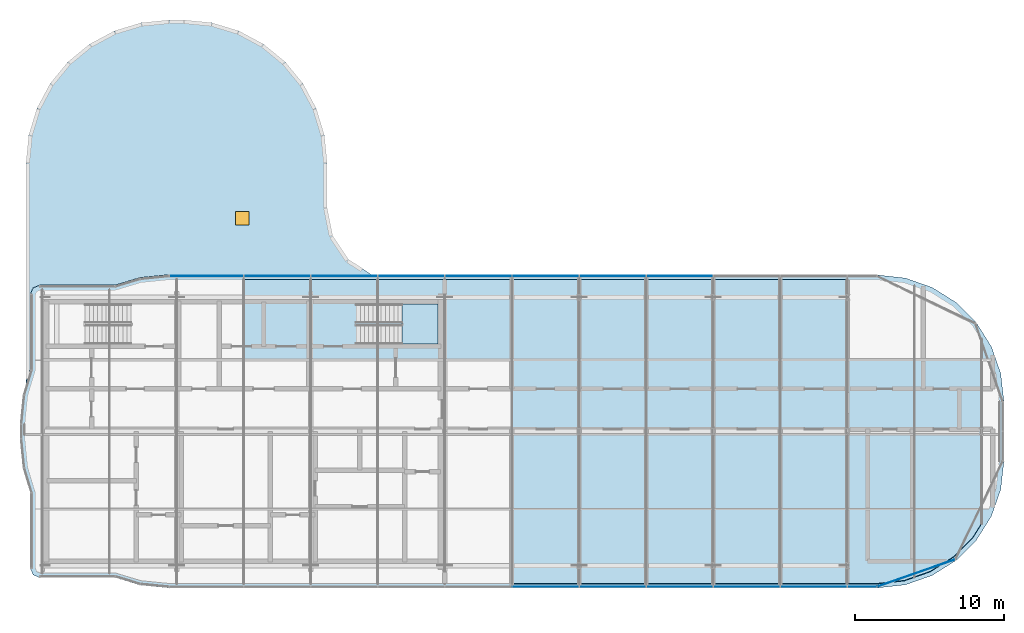
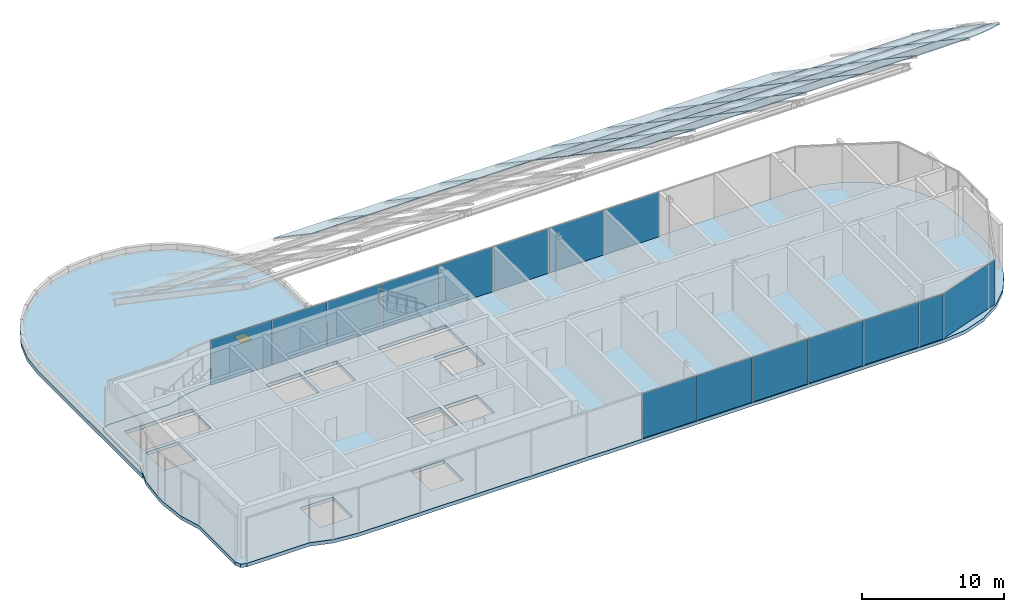
# One storey, part 19 of 25: 45 plates, 3 slabs, 1 window, 1 opening, 10 elements without a shape of their own.
"""IFC4 building model written with IfcOpenShell, lengths in metres."""

from ifc_helpers import new_model, si_unit, direction, frame, origin, origin_2d, place, context, subcontext, project, spatial, polyline, rectangle, outline, extrude, material, layer, layer_set, type_object, element, fill, aggregate, save


model = new_model("IFC4")

# Units and contexts
model_context = context("Model", 3, precision=1e-05, world=origin(), true_north=direction((0.0, 1.0)))
body_context = subcontext(model_context, "Body", "Model", "MODEL_VIEW")
ifc_project = project(units=[si_unit("LENGTHUNIT", "METRE"), si_unit("AREAUNIT", "SQUARE_METRE"), si_unit("VOLUMEUNIT", "CUBIC_METRE"), si_unit("PLANEANGLEUNIT", "RADIAN"), si_unit("MASSUNIT", "GRAM", prefix="KILO")], contexts=[model_context])

# Site, building, storey
site_placement = place(None, origin())
site = spatial("IfcSite", under=ifc_project, at=site_placement, CompositionType="ELEMENT")
building_placement = place(site_placement, origin())
building = spatial("IfcBuilding", under=site, at=building_placement, Name="Ogive Portal Towers", CompositionType="ELEMENT")
storey_placement = place(building_placement, frame((0.0, 0.0, 272.89990234375)))
storey = spatial("IfcBuildingStorey", under=building, at=storey_placement, Name="L66", CompositionType="ELEMENT", Elevation=272.89990234375)

# Curtain wall, plates
ifc_material_1 = material(Name="Glass, clear low-iron insulated glazing", Category="glass")
curtain_wall_type = type_object("IfcCurtainWallType", Name="CW CROWN GLAZING", PredefinedType="NOTDEFINED", material=ifc_material_1)
curtain_wall_1_placement = place(storey_placement, origin())
curtain_wall_1 = element("IfcCurtainWall", 1, at=curtain_wall_1_placement, inside=storey, type_object=curtain_wall_type, Name="A:L66:c06:cw", PredefinedType="NOTDEFINED")
ifc_layer_1 = layer(ifc_material_1, 0.028076171875)
ifc_layer_set_1 = layer_set([ifc_layer_1], Name="CW PANEL IGU 28")
plate_type_1 = type_object("IfcPlateType", Name="CW PANEL IGU 28", PredefinedType="CURTAIN_PANEL", material=ifc_layer_set_1)
plate_1_placement = place(storey_placement, frame((65.25, 20.080078125, 0.0), z_axis=(0.0, 0.0, 1.0), x_axis=(1.0, 0.0, 0.0)))
plate_1 = element("IfcPlate", 2, at=plate_1_placement, type_object=plate_type_1, Name="panel", PredefinedType="CURTAIN_PANEL", context=body_context, shape_type="SweptSolid", body=[
    extrude(rectangle(XDim=4.43994140625, YDim=0.028076171875, at=origin_2d()), origin(), (0.0, 0.0, 1.0), 3.840087890625),
])
plate_2_placement = place(storey_placement, frame((69.75, 20.080078125, 0.0), z_axis=(0.0, 0.0, 1.0), x_axis=(1.0, 0.0, 0.0)))
plate_2 = element("IfcPlate", 3, at=plate_2_placement, type_object=plate_type_1, Name="panel", PredefinedType="CURTAIN_PANEL", context=body_context, shape_type="SweptSolid", body=[
    extrude(rectangle(XDim=4.43994140625, YDim=0.028076171875, at=origin_2d()), origin(), (0.0, 0.0, 1.0), 3.840087890625),
])
plate_3_placement = place(storey_placement, frame((74.25, 20.080078125, 0.0), z_axis=(0.0, 0.0, 1.0), x_axis=(1.0, 0.0, 0.0)))
plate_3 = element("IfcPlate", 4, at=plate_3_placement, type_object=plate_type_1, Name="panel", PredefinedType="CURTAIN_PANEL", context=body_context, shape_type="SweptSolid", body=[
    extrude(rectangle(XDim=4.43994140625, YDim=0.028076171875, at=origin_2d()), origin(), (0.0, 0.0, 1.0), 3.840087890625),
])
plate_4_placement = place(storey_placement, frame((78.75, 20.080078125, 0.0), z_axis=(0.0, 0.0, 1.0), x_axis=(1.0, 0.0, 0.0)))
plate_4 = element("IfcPlate", 5, at=plate_4_placement, type_object=plate_type_1, Name="panel", PredefinedType="CURTAIN_PANEL", context=body_context, shape_type="SweptSolid", body=[
    extrude(rectangle(XDim=4.43994140625, YDim=0.028076171875, at=origin_2d()), origin(), (0.0, 0.0, 1.0), 3.840087890625),
])
plate_5_placement = place(storey_placement, frame((83.25, 20.080078125, 0.0), z_axis=(0.0, 0.0, 1.0), x_axis=(1.0, 0.0, 0.0)))
plate_5 = element("IfcPlate", 6, at=plate_5_placement, type_object=plate_type_1, Name="panel", PredefinedType="CURTAIN_PANEL", context=body_context, shape_type="SweptSolid", body=[
    extrude(rectangle(XDim=4.43994140625, YDim=0.028076171875, at=origin_2d()), origin(), (0.0, 0.0, 1.0), 3.840087890625),
])
plate_6_placement = place(storey_placement, frame((86.4931640625, 20.080078125, 0.0), z_axis=(0.0, 0.0, 1.0), x_axis=(1.0, 0.0, 0.0)))
plate_6 = element("IfcPlate", 7, at=plate_6_placement, type_object=plate_type_1, Name="panel", PredefinedType="CURTAIN_PANEL", context=body_context, shape_type="SweptSolid", body=[
    extrude(rectangle(XDim=1.926513671875, YDim=0.028076171875, at=origin_2d()), origin(), (0.0, 0.0, 1.0), 3.840087890625),
])
aggregate(curtain_wall_1, [plate_1, plate_2, plate_3, plate_4, plate_5, plate_6])

# Curtain wall, plate
curtain_wall_2_placement = place(storey_placement, origin())
curtain_wall_2 = element("IfcCurtainWall", 8, at=curtain_wall_2_placement, inside=storey, type_object=curtain_wall_type, Name="A:L66:c07:cw", PredefinedType="NOTDEFINED")
plate_7_placement = place(storey_placement, frame((90.1142578125, 20.99951171875, 0.0), z_axis=(0.0, 0.0, 1.0), x_axis=(0.943883330307, 0.33027906196, 0.0)))
plate_7 = element("IfcPlate", 9, at=plate_7_placement, type_object=plate_type_1, Name="panel", PredefinedType="CURTAIN_PANEL", context=body_context, shape_type="SweptSolid", body=[
    extrude(rectangle(XDim=5.508056640625, YDim=0.028076171875, at=origin_2d()), origin(), (0.0, 0.0, 1.0), 3.840087890625),
])
aggregate(curtain_wall_2, [plate_7])

# Curtain wall, plates
curtain_wall_3_placement = place(storey_placement, origin())
curtain_wall_3 = element("IfcCurtainWall", 10, at=curtain_wall_3_placement, inside=storey, type_object=curtain_wall_type, Name="A:L66:c12:cw", PredefinedType="NOTDEFINED")
plate_8_placement = place(storey_placement, frame((74.25, 40.919921875, 0.0), z_axis=(0.0, 0.0, 1.0), x_axis=(-1.0, 0.0, 0.0)))
plate_8 = element("IfcPlate", 11, at=plate_8_placement, type_object=plate_type_1, Name="panel", PredefinedType="CURTAIN_PANEL", context=body_context, shape_type="SweptSolid", body=[
    extrude(rectangle(XDim=4.43994140625, YDim=0.028076171875, at=origin_2d()), origin(), (0.0, 0.0, 1.0), 3.840087890625),
])
plate_9_placement = place(storey_placement, frame((69.75, 40.919921875, 0.0), z_axis=(0.0, 0.0, 1.0), x_axis=(-1.0, 0.0, 0.0)))
plate_9 = element("IfcPlate", 12, at=plate_9_placement, type_object=plate_type_1, Name="panel", PredefinedType="CURTAIN_PANEL", context=body_context, shape_type="SweptSolid", body=[
    extrude(rectangle(XDim=4.43994140625, YDim=0.028076171875, at=origin_2d()), origin(), (0.0, 0.0, 1.0), 3.840087890625),
])
plate_10_placement = place(storey_placement, frame((65.25, 40.919921875, 0.0), z_axis=(0.0, 0.0, 1.0), x_axis=(-1.0, 0.0, 0.0)))
plate_10 = element("IfcPlate", 13, at=plate_10_placement, type_object=plate_type_1, Name="panel", PredefinedType="CURTAIN_PANEL", context=body_context, shape_type="SweptSolid", body=[
    extrude(rectangle(XDim=4.43994140625, YDim=0.028076171875, at=origin_2d()), origin(), (0.0, 0.0, 1.0), 3.840087890625),
])
plate_11_placement = place(storey_placement, frame((60.75, 40.919921875, 0.0), z_axis=(0.0, 0.0, 1.0), x_axis=(-1.0, 0.0, 0.0)))
plate_11 = element("IfcPlate", 14, at=plate_11_placement, type_object=plate_type_1, Name="panel", PredefinedType="CURTAIN_PANEL", context=body_context, shape_type="SweptSolid", body=[
    extrude(rectangle(XDim=4.43994140625, YDim=0.028076171875, at=origin_2d()), origin(), (0.0, 0.0, 1.0), 3.840087890625),
])
plate_12_placement = place(storey_placement, frame((56.25, 40.919921875, 0.0), z_axis=(0.0, 0.0, 1.0), x_axis=(-1.0, 0.0, 0.0)))
plate_12 = element("IfcPlate", 15, at=plate_12_placement, type_object=plate_type_1, Name="panel", PredefinedType="CURTAIN_PANEL", context=body_context, shape_type="SweptSolid", body=[
    extrude(rectangle(XDim=4.43994140625, YDim=0.028076171875, at=origin_2d()), origin(), (0.0, 0.0, 1.0), 3.840087890625),
])
plate_13_placement = place(storey_placement, frame((51.75, 40.919921875, 0.0), z_axis=(0.0, 0.0, 1.0), x_axis=(-1.0, 0.0, 0.0)))
plate_13 = element("IfcPlate", 16, at=plate_13_placement, type_object=plate_type_1, Name="panel", PredefinedType="CURTAIN_PANEL", context=body_context, shape_type="SweptSolid", body=[
    extrude(rectangle(XDim=4.43994140625, YDim=0.028076171875, at=origin_2d()), origin(), (0.0, 0.0, 1.0), 3.840087890625),
])
plate_14_placement = place(storey_placement, frame((47.25, 40.919921875, 0.0), z_axis=(0.0, 0.0, 1.0), x_axis=(-1.0, 0.0, 0.0)))
plate_14 = element("IfcPlate", 17, at=plate_14_placement, type_object=plate_type_1, Name="panel", PredefinedType="CURTAIN_PANEL", context=body_context, shape_type="SweptSolid", body=[
    extrude(rectangle(XDim=4.43994140625, YDim=0.028076171875, at=origin_2d()), origin(), (0.0, 0.0, 1.0), 3.840087890625),
])
plate_15_placement = place(storey_placement, frame((42.501953125, 40.919921875, 0.0), z_axis=(0.0, 0.0, 1.0), x_axis=(-1.0, 0.0, 0.0)))
plate_15 = element("IfcPlate", 18, at=plate_15_placement, type_object=plate_type_1, Name="panel", PredefinedType="CURTAIN_PANEL", context=body_context, shape_type="SweptSolid", body=[
    extrude(rectangle(XDim=4.93603515625, YDim=0.028076171875, at=origin_2d()), origin(), (0.0, 0.0, 1.0), 3.840087890625),
])
aggregate(curtain_wall_3, [plate_8, plate_9, plate_10, plate_11, plate_12, plate_13, plate_14, plate_15])

curtain_wall_4_placement = place(storey_placement, origin())
curtain_wall_4 = element("IfcCurtainWall", 19, at=curtain_wall_4_placement, inside=storey, type_object=curtain_wall_type, Name="Crown roof glazing 2", PredefinedType="NOTDEFINED")
ifc_layer_2 = layer(ifc_material_1, 0.055908203125)
ifc_layer_set_2 = layer_set([ifc_layer_2], Name="CW ROOF PANEL IGU 56")
plate_type_2 = type_object("IfcPlateType", Name="CW ROOF PANEL IGU 56", PredefinedType="CURTAIN_PANEL", material=ifc_layer_set_2)
plate_16_placement = place(storey_placement, frame((45.0, 40.699951171875, 11.024169921875), z_axis=(0.0, 0.562303885633, 0.826930674363), x_axis=(0.0, -0.826930674363, 0.562303885633)))
plate_16 = element("IfcPlate", 20, at=plate_16_placement, type_object=plate_type_2, Name="roof panel", PredefinedType="CURTAIN_PANEL", context=body_context, shape_type="SweptSolid", body=[
    extrude(outline(polyline([(0.0, 0.0), (6.530054466668846, 0.0), (6.530054466668846, 4.5), (0.0, 4.5), (0.0, 0.0)])), origin(), (0.0, 0.0, -1.0), 0.055908203125),
])
plate_17_placement = place(storey_placement, frame((49.5, 40.699951171875, 11.024169921875), z_axis=(0.0, 0.562303885633, 0.826930674363), x_axis=(0.0, -0.826930674363, 0.562303885633)))
plate_17 = element("IfcPlate", 21, at=plate_17_placement, type_object=plate_type_2, Name="roof panel", PredefinedType="CURTAIN_PANEL", context=body_context, shape_type="SweptSolid", body=[
    extrude(outline(polyline([(0.0, 0.0), (6.530054466668846, 0.0), (6.530054466668846, 4.5), (0.0, 4.5), (0.0, 0.0)])), origin(), (0.0, 0.0, -1.0), 0.055908203125),
])
aggregate(curtain_wall_4, [plate_16, plate_17])

curtain_wall_5_placement = place(storey_placement, origin())
curtain_wall_5 = element("IfcCurtainWall", 22, at=curtain_wall_5_placement, inside=storey, type_object=curtain_wall_type, Name="Crown roof glazing 3", PredefinedType="NOTDEFINED")
plate_18_placement = place(storey_placement, frame((54.0, 40.699951171875, 11.024169921875), z_axis=(0.0, 0.562303885633, 0.826930674363), x_axis=(0.0, -0.826930674363, 0.562303885633)))
plate_18 = element("IfcPlate", 23, at=plate_18_placement, type_object=plate_type_2, Name="roof panel", PredefinedType="CURTAIN_PANEL", context=body_context, shape_type="SweptSolid", body=[
    extrude(outline(polyline([(0.0, 0.0), (6.530054466668846, 0.0), (6.530054466668846, 4.5), (0.0, 4.5), (0.0, 0.0)])), origin(), (0.0, 0.0, -1.0), 0.055908203125),
])
plate_19_placement = place(storey_placement, frame((58.5, 40.699951171875, 11.024169921875), z_axis=(0.0, 0.562303885633, 0.826930674363), x_axis=(0.0, -0.826930674363, 0.562303885633)))
plate_19 = element("IfcPlate", 24, at=plate_19_placement, type_object=plate_type_2, Name="roof panel", PredefinedType="CURTAIN_PANEL", context=body_context, shape_type="SweptSolid", body=[
    extrude(outline(polyline([(0.0, 0.0), (6.530054466668846, 0.0), (6.530054466668846, 4.5), (0.0, 4.5), (0.0, 0.0)])), origin(), (0.0, 0.0, -1.0), 0.055908203125),
])
plate_20_placement = place(storey_placement, frame((67.5, 20.300048828125, 24.89599609375), z_axis=(0.0, 0.562298977146, 0.82693401206), x_axis=(0.0, 0.82693401206, -0.562298977146)))
plate_20 = element("IfcPlate", 25, at=plate_20_placement, type_object=plate_type_2, Name="roof panel", PredefinedType="CURTAIN_PANEL", context=body_context, shape_type="SweptSolid", body=[
    extrude(outline(polyline([(0.0, 0.0), (6.04643167058363, 0.0), (6.04643167058363, 4.5), (0.0, 4.5), (0.0, 0.0)])), origin(), (0.0, 0.0, -1.0), 0.055908203125),
])
plate_21_placement = place(storey_placement, frame((67.5, 25.300048828125, 21.49609375), z_axis=(0.0, 0.562298977146, 0.82693401206), x_axis=(0.0, 0.82693401206, -0.562298977146)))
plate_21 = element("IfcPlate", 26, at=plate_21_placement, type_object=plate_type_2, Name="roof panel", PredefinedType="CURTAIN_PANEL", context=body_context, shape_type="SweptSolid", body=[
    extrude(outline(polyline([(0.0, 0.0), (6.04643167058363, 0.0), (6.04643167058363, 4.5), (0.0, 4.5), (0.0, 0.0)])), origin(), (0.0, 0.0, -1.0), 0.055908203125),
])
plate_22_placement = place(storey_placement, frame((67.5, 30.300048828125, 18.09619140625), z_axis=(0.0, 0.562326587236, 0.826915237064), x_axis=(0.0, 0.826915237064, -0.562326587236)))
plate_22 = element("IfcPlate", 27, at=plate_22_placement, type_object=plate_type_2, Name="roof panel", PredefinedType="CURTAIN_PANEL", context=body_context, shape_type="SweptSolid", body=[
    extrude(outline(polyline([(0.0, 0.0), (6.046568953977757, 0.0), (6.046568953977757, 4.5), (0.0, 4.5), (0.0, 0.0)])), origin(), (0.0, 0.0, -1.0), 0.055908203125),
])
plate_23_placement = place(storey_placement, frame((63.0, 40.699951171875, 11.024169921875), z_axis=(0.0, 0.562303885633, 0.826930674363), x_axis=(0.0, -0.826930674363, 0.562303885633)))
plate_23 = element("IfcPlate", 28, at=plate_23_placement, type_object=plate_type_2, Name="roof panel", PredefinedType="CURTAIN_PANEL", context=body_context, shape_type="SweptSolid", body=[
    extrude(outline(polyline([(0.0, 0.0), (6.530054466668846, 0.0), (6.530054466668846, 4.5), (0.0, 4.5), (0.0, 0.0)])), origin(), (0.0, 0.0, -1.0), 0.055908203125),
])
aggregate(curtain_wall_5, [plate_18, plate_19, plate_20, plate_21, plate_22, plate_23])

curtain_wall_6_placement = place(storey_placement, origin())
curtain_wall_6 = element("IfcCurtainWall", 29, at=curtain_wall_6_placement, inside=storey, type_object=curtain_wall_type, Name="Crown roof glazing 4", PredefinedType="NOTDEFINED")
plate_24_placement = place(storey_placement, frame((72.0, 20.300048828125, 24.89599609375), z_axis=(0.0, 0.562298977146, 0.82693401206), x_axis=(0.0, 0.82693401206, -0.562298977146)))
plate_24 = element("IfcPlate", 30, at=plate_24_placement, type_object=plate_type_2, Name="roof panel", PredefinedType="CURTAIN_PANEL", context=body_context, shape_type="SweptSolid", body=[
    extrude(outline(polyline([(0.0, 0.0), (6.04643167058363, 0.0), (6.04643167058363, 4.5), (0.0, 4.5), (0.0, 0.0)])), origin(), (0.0, 0.0, -1.0), 0.055908203125),
])
plate_25_placement = place(storey_placement, frame((72.0, 25.300048828125, 21.49609375), z_axis=(0.0, 0.562298977146, 0.82693401206), x_axis=(0.0, 0.82693401206, -0.562298977146)))
plate_25 = element("IfcPlate", 31, at=plate_25_placement, type_object=plate_type_2, Name="roof panel", PredefinedType="CURTAIN_PANEL", context=body_context, shape_type="SweptSolid", body=[
    extrude(outline(polyline([(0.0, 0.0), (6.04643167058363, 0.0), (6.04643167058363, 4.5), (0.0, 4.5), (0.0, 0.0)])), origin(), (0.0, 0.0, -1.0), 0.055908203125),
])
plate_26_placement = place(storey_placement, frame((72.0, 30.300048828125, 18.09619140625), z_axis=(0.0, 0.562326587236, 0.826915237064), x_axis=(0.0, 0.826915237064, -0.562326587236)))
plate_26 = element("IfcPlate", 32, at=plate_26_placement, type_object=plate_type_2, Name="roof panel", PredefinedType="CURTAIN_PANEL", context=body_context, shape_type="SweptSolid", body=[
    extrude(outline(polyline([(0.0, 0.0), (6.046568953977757, 0.0), (6.046568953977757, 4.5), (0.0, 4.5), (0.0, 0.0)])), origin(), (0.0, 0.0, -1.0), 0.055908203125),
])
plate_27_placement = place(storey_placement, frame((67.5, 40.699951171875, 11.024169921875), z_axis=(0.0, 0.562303885633, 0.826930674363), x_axis=(0.0, -0.826930674363, 0.562303885633)))
plate_27 = element("IfcPlate", 33, at=plate_27_placement, type_object=plate_type_2, Name="roof panel", PredefinedType="CURTAIN_PANEL", context=body_context, shape_type="SweptSolid", body=[
    extrude(outline(polyline([(0.0, 0.0), (6.530054466668846, 0.0), (6.530054466668846, 4.5), (0.0, 4.5), (0.0, 0.0)])), origin(), (0.0, 0.0, -1.0), 0.055908203125),
])
plate_28_placement = place(storey_placement, frame((76.5, 20.300048828125, 24.89599609375), z_axis=(0.0, 0.562298977146, 0.82693401206), x_axis=(0.0, 0.82693401206, -0.562298977146)))
plate_28 = element("IfcPlate", 34, at=plate_28_placement, type_object=plate_type_2, Name="roof panel", PredefinedType="CURTAIN_PANEL", context=body_context, shape_type="SweptSolid", body=[
    extrude(outline(polyline([(0.0, 0.0), (6.04643167058363, 0.0), (6.04643167058363, 4.5), (0.0, 4.5), (0.0, 0.0)])), origin(), (0.0, 0.0, -1.0), 0.055908203125),
])
plate_29_placement = place(storey_placement, frame((76.5, 25.300048828125, 21.49609375), z_axis=(0.0, 0.562298977146, 0.82693401206), x_axis=(0.0, 0.82693401206, -0.562298977146)))
plate_29 = element("IfcPlate", 35, at=plate_29_placement, type_object=plate_type_2, Name="roof panel", PredefinedType="CURTAIN_PANEL", context=body_context, shape_type="SweptSolid", body=[
    extrude(outline(polyline([(0.0, 0.0), (6.04643167058363, 0.0), (6.04643167058363, 4.5), (0.0, 4.5), (0.0, 0.0)])), origin(), (0.0, 0.0, -1.0), 0.055908203125),
])
plate_30_placement = place(storey_placement, frame((76.5, 30.300048828125, 18.09619140625), z_axis=(0.0, 0.562326587236, 0.826915237064), x_axis=(0.0, 0.826915237064, -0.562326587236)))
plate_30 = element("IfcPlate", 36, at=plate_30_placement, type_object=plate_type_2, Name="roof panel", PredefinedType="CURTAIN_PANEL", context=body_context, shape_type="SweptSolid", body=[
    extrude(outline(polyline([(0.0, 0.0), (6.046568953977757, 0.0), (6.046568953977757, 4.5), (0.0, 4.5), (0.0, 0.0)])), origin(), (0.0, 0.0, -1.0), 0.055908203125),
])
plate_31_placement = place(storey_placement, frame((72.0, 40.699951171875, 11.024169921875), z_axis=(0.0, 0.562303885633, 0.826930674363), x_axis=(0.0, -0.826930674363, 0.562303885633)))
plate_31 = element("IfcPlate", 37, at=plate_31_placement, type_object=plate_type_2, Name="roof panel", PredefinedType="CURTAIN_PANEL", context=body_context, shape_type="SweptSolid", body=[
    extrude(outline(polyline([(0.0, 0.0), (6.530054466668846, 0.0), (6.530054466668846, 4.5), (0.0, 4.5), (0.0, 0.0)])), origin(), (0.0, 0.0, -1.0), 0.055908203125),
])
plate_32_placement = place(storey_placement, frame((81.0, 20.300048828125, 24.89599609375), z_axis=(0.0, 0.562298977146, 0.82693401206), x_axis=(0.0, 0.82693401206, -0.562298977146)))
plate_32 = element("IfcPlate", 38, at=plate_32_placement, type_object=plate_type_2, Name="roof panel", PredefinedType="CURTAIN_PANEL", context=body_context, shape_type="SweptSolid", body=[
    extrude(outline(polyline([(0.0, 0.0), (6.04643167058363, 0.0), (6.04643167058363, 4.5), (0.0, 4.5), (0.0, 0.0)])), origin(), (0.0, 0.0, -1.0), 0.055908203125),
])
plate_33_placement = place(storey_placement, frame((81.0, 25.300048828125, 21.49609375), z_axis=(0.0, 0.562298977146, 0.82693401206), x_axis=(0.0, 0.82693401206, -0.562298977146)))
plate_33 = element("IfcPlate", 39, at=plate_33_placement, type_object=plate_type_2, Name="roof panel", PredefinedType="CURTAIN_PANEL", context=body_context, shape_type="SweptSolid", body=[
    extrude(outline(polyline([(0.0, 0.0), (6.04643167058363, 0.0), (6.04643167058363, 4.5), (0.0, 4.5), (0.0, 0.0)])), origin(), (0.0, 0.0, -1.0), 0.055908203125),
])
plate_34_placement = place(storey_placement, frame((81.0, 30.300048828125, 18.09619140625), z_axis=(0.0, 0.562326587236, 0.826915237064), x_axis=(0.0, 0.826915237064, -0.562326587236)))
plate_34 = element("IfcPlate", 40, at=plate_34_placement, type_object=plate_type_2, Name="roof panel", PredefinedType="CURTAIN_PANEL", context=body_context, shape_type="SweptSolid", body=[
    extrude(outline(polyline([(0.0, 0.0), (6.046568953977757, 0.0), (6.046568953977757, 4.5), (0.0, 4.5), (0.0, 0.0)])), origin(), (0.0, 0.0, -1.0), 0.055908203125),
])
plate_35_placement = place(storey_placement, frame((76.5, 40.699951171875, 11.024169921875), z_axis=(0.0, 0.562303885633, 0.826930674363), x_axis=(0.0, -0.826930674363, 0.562303885633)))
plate_35 = element("IfcPlate", 41, at=plate_35_placement, type_object=plate_type_2, Name="roof panel", PredefinedType="CURTAIN_PANEL", context=body_context, shape_type="SweptSolid", body=[
    extrude(outline(polyline([(0.0, 0.0), (6.530054466668846, 0.0), (6.530054466668846, 4.5), (0.0, 4.5), (0.0, 0.0)])), origin(), (0.0, 0.0, -1.0), 0.055908203125),
])
aggregate(curtain_wall_6, [plate_24, plate_25, plate_26, plate_27, plate_28, plate_29, plate_30, plate_31, plate_32, plate_33, plate_34, plate_35])

# Curtain wall, plate
curtain_wall_7_placement = place(storey_placement, origin())
curtain_wall_7 = element("IfcCurtainWall", 42, at=curtain_wall_7_placement, inside=storey, type_object=curtain_wall_type, Name="Crown roof glazing edge 5.1", PredefinedType="NOTDEFINED")
plate_36_placement = place(storey_placement, frame((90.0, 20.743896484375, 24.59423828125), z_axis=(-5.094201e-06, 0.562301795358, 0.826932095708), x_axis=(-2.1e-11, 0.826932095718, -0.562301795365)))
plate_36 = element("IfcPlate", 43, at=plate_36_placement, type_object=plate_type_2, Name="roof panel", PredefinedType="CURTAIN_PANEL", context=body_context, shape_type="SweptSolid", body=[
    extrude(outline(polyline([(0.0, 0.0), (5.50972083825182, -1.6940658945086007e-21), (5.509720838345464, 4.499999999941611), (-0.5367108322030529, 4.5000000001724105), (-0.5367108322443219, 2.5168457033231415), (-0.28609718843728166, 0.675781249900411), (0.0, 0.0)])), origin(), (0.0, 0.0, -1.0), 0.055908203125),
])
aggregate(curtain_wall_7, [plate_36])

curtain_wall_8_placement = place(storey_placement, origin())
curtain_wall_8 = element("IfcCurtainWall", 44, at=curtain_wall_8_placement, inside=storey, type_object=curtain_wall_type, Name="Crown roof glazing edge 5.3", PredefinedType="NOTDEFINED")
plate_37_placement = place(storey_placement, frame((94.5, 24.328369140625, 22.156982421875), z_axis=(-1.2910869e-05, 0.562310115544, 0.826926437956), x_axis=(-1.329e-09, 0.826926438025, -0.562310115591)))
plate_37 = element("IfcPlate", 45, at=plate_37_placement, type_object=plate_type_2, Name="roof panel", PredefinedType="CURTAIN_PANEL", context=body_context, shape_type="SweptSolid", body=[
    extrude(outline(polyline([(0.0, 0.0), (1.1751320083600354, -8.470329472543003e-22), (1.1751320143422146, 4.499999999624947), (-4.334588823857173, 4.5000000073745685), (-3.8873297987327105, 3.4428711000961374), (-2.706036220950311, 1.8886718807376444), (-1.1363294504986672, 0.5905761741721443), (0.0, 0.0)])), origin(), (0.0, 0.0, -1.0), 0.055908203125),
])
aggregate(curtain_wall_8, [plate_37])

# Curtain wall, plates
curtain_wall_9_placement = place(storey_placement, origin())
curtain_wall_9 = element("IfcCurtainWall", 46, at=curtain_wall_9_placement, inside=storey, type_object=curtain_wall_type, Name="Crown roof glazing 5", PredefinedType="NOTDEFINED")
plate_38_placement = place(storey_placement, frame((85.5, 20.300048828125, 24.89599609375), z_axis=(0.0, 0.562298977146, 0.82693401206), x_axis=(0.0, 0.82693401206, -0.562298977146)))
plate_38 = element("IfcPlate", 47, at=plate_38_placement, type_object=plate_type_2, Name="roof panel", PredefinedType="CURTAIN_PANEL", context=body_context, shape_type="SweptSolid", body=[
    extrude(outline(polyline([(0.0, 0.0), (6.04643167058363, 0.0), (6.04643167058363, 4.5), (0.0, 4.5), (0.0, 0.0)])), origin(), (0.0, 0.0, -1.0), 0.055908203125),
])
plate_39_placement = place(storey_placement, frame((85.5, 25.300048828125, 21.49609375), z_axis=(0.0, 0.562298977146, 0.82693401206), x_axis=(0.0, 0.82693401206, -0.562298977146)))
plate_39 = element("IfcPlate", 48, at=plate_39_placement, type_object=plate_type_2, Name="roof panel", PredefinedType="CURTAIN_PANEL", context=body_context, shape_type="SweptSolid", body=[
    extrude(outline(polyline([(0.0, 0.0), (6.04643167058363, 0.0), (6.04643167058363, 4.5), (0.0, 4.5), (0.0, 0.0)])), origin(), (0.0, 0.0, -1.0), 0.055908203125),
])
plate_40_placement = place(storey_placement, frame((85.5, 30.300048828125, 18.09619140625), z_axis=(0.0, 0.562326587236, 0.826915237064), x_axis=(0.0, 0.826915237064, -0.562326587236)))
plate_40 = element("IfcPlate", 49, at=plate_40_placement, type_object=plate_type_2, Name="roof panel", PredefinedType="CURTAIN_PANEL", context=body_context, shape_type="SweptSolid", body=[
    extrude(outline(polyline([(0.0, 0.0), (6.046568953977757, 0.0), (6.046568953977757, 4.5), (0.0, 4.5), (0.0, 0.0)])), origin(), (0.0, 0.0, -1.0), 0.055908203125),
])
plate_41_placement = place(storey_placement, frame((81.0, 40.699951171875, 11.024169921875), z_axis=(0.0, 0.562303885633, 0.826930674363), x_axis=(0.0, -0.826930674363, 0.562303885633)))
plate_41 = element("IfcPlate", 50, at=plate_41_placement, type_object=plate_type_2, Name="roof panel", PredefinedType="CURTAIN_PANEL", context=body_context, shape_type="SweptSolid", body=[
    extrude(outline(polyline([(0.0, 0.0), (6.530054466668846, 0.0), (6.530054466668846, 4.5), (0.0, 4.5), (0.0, 0.0)])), origin(), (0.0, 0.0, -1.0), 0.055908203125),
])
plate_42_placement = place(storey_placement, frame((90.0, 25.300048828125, 21.49609375), z_axis=(0.0, 0.562298977146, 0.82693401206), x_axis=(0.0, 0.82693401206, -0.562298977146)))
plate_42 = element("IfcPlate", 51, at=plate_42_placement, type_object=plate_type_2, Name="roof panel", PredefinedType="CURTAIN_PANEL", context=body_context, shape_type="SweptSolid", body=[
    extrude(outline(polyline([(0.0, 0.0), (6.04643167058363, 0.0), (6.04643167058363, 4.5), (0.0, 4.5), (0.0, 0.0)])), origin(), (0.0, 0.0, -1.0), 0.055908203125),
])
plate_43_placement = place(storey_placement, frame((90.0, 30.300048828125, 18.09619140625), z_axis=(0.0, 0.562326587236, 0.826915237064), x_axis=(0.0, 0.826915237064, -0.562326587236)))
plate_43 = element("IfcPlate", 52, at=plate_43_placement, type_object=plate_type_2, Name="roof panel", PredefinedType="CURTAIN_PANEL", context=body_context, shape_type="SweptSolid", body=[
    extrude(outline(polyline([(0.0, 0.0), (6.046568953977757, 0.0), (6.046568953977757, 4.5), (0.0, 4.5), (0.0, 0.0)])), origin(), (0.0, 0.0, -1.0), 0.055908203125),
])
plate_44_placement = place(storey_placement, frame((94.5, 25.300048828125, 21.49609375), z_axis=(0.0, 0.562298977146, 0.82693401206), x_axis=(0.0, 0.82693401206, -0.562298977146)))
plate_44 = element("IfcPlate", 53, at=plate_44_placement, type_object=plate_type_2, Name="roof panel", PredefinedType="CURTAIN_PANEL", context=body_context, shape_type="SweptSolid", body=[
    extrude(outline(polyline([(0.0, 0.0), (6.04643167058363, 0.0), (6.04643167058363, 4.5), (0.0, 4.5), (0.0, 0.0)])), origin(), (0.0, 0.0, -1.0), 0.055908203125),
])
plate_45_placement = place(storey_placement, frame((94.5, 30.300048828125, 18.09619140625), z_axis=(0.0, 0.562326587236, 0.826915237064), x_axis=(0.0, 0.826915237064, -0.562326587236)))
plate_45 = element("IfcPlate", 54, at=plate_45_placement, type_object=plate_type_2, Name="roof panel", PredefinedType="CURTAIN_PANEL", context=body_context, shape_type="SweptSolid", body=[
    extrude(outline(polyline([(0.0, 0.0), (6.046568953977757, 0.0), (6.046568953977757, 4.5), (0.0, 4.5), (0.0, 0.0)])), origin(), (0.0, 0.0, -1.0), 0.055908203125),
])
aggregate(curtain_wall_9, [plate_38, plate_39, plate_40, plate_41, plate_42, plate_43, plate_44, plate_45])

# Stair, slab
ifc_material_2 = material(Name="Concrete C40/50", Category="concrete")
stair_type = type_object("IfcStairType", Name="INT-STAIR", PredefinedType="HALF_TURN_STAIR", material=ifc_material_2)
stair_placement = place(storey_placement, origin())
stair = element("IfcStair", 55, at=stair_placement, inside=storey, type_object=stair_type, Name="L66 Exit Stair ST-A2", PredefinedType="HALF_TURN_STAIR")
ifc_layer_3 = layer(ifc_material_2, 0.199951171875)
ifc_layer_set_3 = layer_set([ifc_layer_3], Name="INT-LANDING")
slab_type_1 = type_object("IfcSlabType", Name="INT-LANDING", PredefinedType="LANDING", material=ifc_layer_set_3)
slab_1_placement = place(storey_placement, frame((0.0, 0.0, 1.900146484375)))
slab_1 = element("IfcSlab", 56, at=slab_1_placement, type_object=slab_type_1, Name="ST-A2 landing 1", PredefinedType="LANDING", context=body_context, shape_type="SweptSolid", body=[
    extrude(outline(polyline([(55.6298828125, 36.35009765625), (58.050048828125, 36.35009765625), (58.050048828125, 39.050048828125), (55.6298828125, 39.050048828125), (55.6298828125, 36.35009765625)])), origin(), (0.0, 0.0, 1.0), 0.199951171875),
])
aggregate(stair, [slab_1])

# Slab
ifc_material_3 = material(Name="Concrete C45/55", Category="concrete")
ifc_layer_4 = layer(ifc_material_3, 0.300048828125)
ifc_layer_set_4 = layer_set([ifc_layer_4], Name="PT FLAT PLATE 300")
slab_type_2 = type_object("IfcSlabType", Name="PT FLAT PLATE 300", PredefinedType="FLOOR", material=ifc_layer_set_4)
slab_2_placement = place(storey_placement, frame((0.0, 0.0, -0.2998046875)))
element("IfcSlab", 57, at=slab_2_placement, inside=storey, type_object=slab_type_2, Name="Floor slab L66", PredefinedType="FLOOR", context=body_context, shape_type="SweptSolid", body=[
    extrude(outline(polyline([(30.0, 30.0), (30.192138671875, 28.049072265625), (30.699951171875, 26.375), (30.699951171875, 21.300048828125), (30.875732421875, 20.875732421875), (31.300048828125, 20.699951171875), (36.375, 20.699951171875), (38.049072265625, 20.192138671875), (40.0, 20.0), (87.5, 20.0), (89.391357421875, 20.213134765625), (91.18798828125, 20.841796875), (92.7998046875, 21.8544921875), (94.1455078125, 23.2001953125), (95.158203125, 24.81201171875), (95.786865234375, 26.608642578125), (96.0, 28.5), (96.0, 32.5), (95.786865234375, 34.391357421875), (95.158203125, 36.18798828125), (94.1455078125, 37.7998046875), (92.7998046875, 39.1455078125), (91.18798828125, 40.158203125), (89.391357421875, 40.786865234375), (87.5, 41.0), (40.0, 41.0), (38.049072265625, 40.807861328125), (36.375, 40.300048828125), (31.300048828125, 40.300048828125), (30.875732421875, 40.124267578125), (30.699951171875, 39.699951171875), (30.699951171875, 34.625), (30.192138671875, 32.950927734375), (30.0, 31.0), (30.0, 30.0)]), holes=[polyline([(40.6298828125, 24.72998046875), (40.6298828125, 21.969970703125), (37.969970703125, 21.969970703125), (37.969970703125, 24.72998046875), (40.6298828125, 24.72998046875)]), polyline([(49.6298828125, 24.72998046875), (49.6298828125, 21.969970703125), (46.969970703125, 21.969970703125), (46.969970703125, 24.72998046875), (49.6298828125, 24.72998046875)]), polyline([(49.949951171875, 30.5), (52.64990234375, 30.5), (52.64990234375, 28.050048828125), (49.949951171875, 28.050048828125), (49.949951171875, 30.5)]), polyline([(55.64990234375, 30.5), (55.64990234375, 28.050048828125), (52.949951171875, 28.050048828125), (52.949951171875, 30.5), (55.64990234375, 30.5)]), polyline([(34.64990234375, 36.050048828125), (34.64990234375, 33.5), (31.949951171875, 33.5), (31.949951171875, 36.050048828125), (34.64990234375, 36.050048828125)]), polyline([(55.35009765625, 36.050048828125), (58.050048828125, 36.050048828125), (58.050048828125, 33.5), (55.35009765625, 33.5), (55.35009765625, 36.050048828125)]), polyline([(31.951904296875, 36.35205078125), (31.951904296875, 39.048095703125), (37.447998046875, 39.048095703125), (37.447998046875, 36.35205078125), (31.951904296875, 36.35205078125)]), polyline([(43.5, 39.050048828125), (46.199951171875, 39.050048828125), (46.199951171875, 36.35009765625), (43.5, 36.35009765625), (43.5, 39.050048828125)]), polyline([(49.199951171875, 39.050048828125), (49.199951171875, 36.35009765625), (46.5, 36.35009765625), (46.5, 39.050048828125), (49.199951171875, 39.050048828125)]), polyline([(58.048095703125, 36.35205078125), (52.552001953125, 36.35205078125), (52.552001953125, 39.048095703125), (58.048095703125, 39.048095703125), (58.048095703125, 36.35205078125)])]), origin(), (0.0, 0.0, 1.0), 0.2998046875),
])

# Slab, opening, window
ifc_layer_5 = layer(ifc_material_2, 0.35009765625)
ifc_layer_set_5 = layer_set([ifc_layer_5], Name="ROOF SLAB 350")
slab_type_3 = type_object("IfcSlabType", Name="ROOF SLAB 350", PredefinedType="ROOF", material=ifc_layer_set_5)
slab_3_placement = place(storey_placement, frame((0.0, 0.0, -0.349853515625)))
slab_3 = element("IfcSlab", 58, at=slab_3_placement, inside=storey, type_object=slab_type_3, Name="Stub roof", PredefinedType="ROOF", context=body_context, shape_type="SweptSolid", body=[
    extrude(outline(polyline([(30.39990234375, 48.5), (30.58447265625, 50.372802734375), (31.130859375, 52.173828125), (32.017822265625, 53.83349609375), (33.211669921875, 55.288330078125), (34.66650390625, 56.482177734375), (36.326171875, 57.369140625), (38.127197265625, 57.91552734375), (40.0, 58.10009765625), (41.0, 58.10009765625), (42.872802734375, 57.91552734375), (44.673828125, 57.369140625), (46.33349609375, 56.482177734375), (47.788330078125, 55.288330078125), (48.982177734375, 53.83349609375), (49.869140625, 52.173828125), (50.41552734375, 50.372802734375), (50.60009765625, 48.5), (50.60009765625, 45.5), (50.972900390625, 43.624755859375), (52.03515625, 42.03515625), (53.569580078125, 41.010009765625), (40.0, 41.010009765625), (39.9990234375, 41.010009765625), (38.048095703125, 40.81787109375), (38.047119140625, 40.817626953125), (38.046142578125, 40.8173828125), (36.37353515625, 40.31005859375), (31.300048828125, 40.31005859375), (31.299072265625, 40.31005859375), (31.298095703125, 40.309814453125), (31.297119140625, 40.3095703125), (31.296142578125, 40.309326171875), (30.871826171875, 40.133544921875), (30.87109375, 40.133056640625), (30.8701171875, 40.132568359375), (30.869384765625, 40.132080078125), (30.86865234375, 40.13134765625), (30.867919921875, 40.130615234375), (30.867431640625, 40.1298828125), (30.866943359375, 40.12890625), (30.866455078125, 40.128173828125), (30.690673828125, 39.703857421875), (30.6904296875, 39.702880859375), (30.690185546875, 39.701904296875), (30.68994140625, 39.700927734375), (30.68994140625, 39.699951171875), (30.68994140625, 34.62646484375), (30.4189453125, 33.7333984375), (30.39990234375, 34.0), (30.39990234375, 48.5)])), origin(), (0.0, 0.0, 1.0), 0.349853515625),
])
opening_placement = place(slab_3_placement, frame((44.89990234375, 44.81005859375, 0.0)))
opening = element("IfcOpeningElement", 59, at=opening_placement, cuts=slab_3, Name="Opening RH1", PredefinedType="OPENING", context=body_context, shape_type="SweptSolid", body=[
    extrude(rectangle(XDim=0.89990234375, YDim=0.89990234375, at=origin_2d()), origin(), (0.0, 0.0, 1.0), 0.349853515625),
])
ifc_material_4 = material(Name="Aluminium 6063 anodised", Category="aluminium")
window_type = type_object("IfcWindowType", Name="ROOF HATCH 900x900", PartitioningType="SINGLE_PANEL", PredefinedType="SKYLIGHT", material=ifc_material_4)
window_placement = place(opening_placement, frame((0.0, 0.0, 0.2998046875)))
window = element("IfcWindow", 60, at=window_placement, inside=storey, type_object=window_type, Name="Roof access hatch", OverallHeight=0.89990234375, OverallWidth=0.89990234375, PartitioningType="SINGLE_PANEL", PredefinedType="SKYLIGHT", context=body_context, shape_type="SweptSolid", body=[
    extrude(rectangle(XDim=0.89990234375, YDim=0.89990234375, at=origin_2d()), origin(), (0.0, 0.0, 1.0), 0.050048828125),
])
fill(opening, window)

save(model, "model.ifc")
